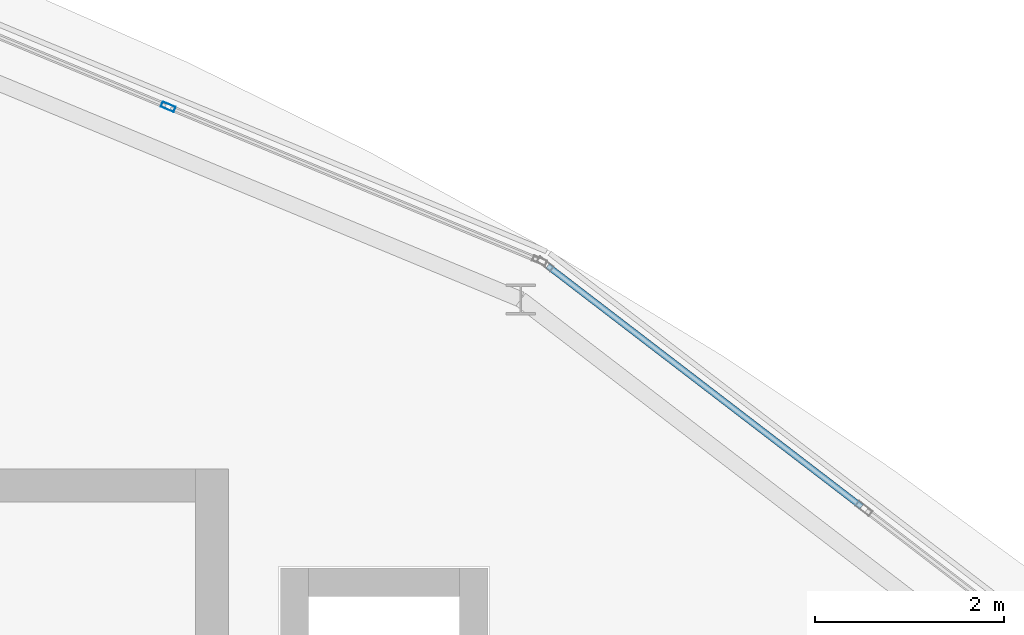
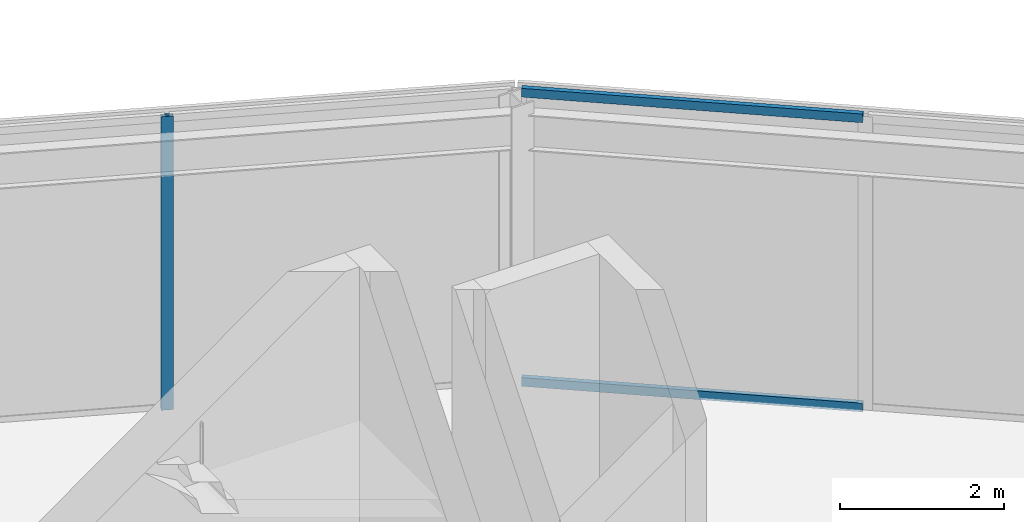
# One storey, part 73 of 133: 3 members, 2 elements without a shape of their own.
"""IFC4 building model written with IfcOpenShell, lengths in metres."""

from ifc_helpers import new_model, si_unit, direction, frame, origin, origin_2d, place, context, subcontext, project, spatial, hollow_rectangle, extrude, material, material_profile, profile_set, type_object, element, aggregate, save


model = new_model("IFC4")

# Units and contexts
model_context = context("Model", 3, precision=1e-05, world=origin(), true_north=direction((0.0, 1.0)))
body_context = subcontext(model_context, "Body", "Model", "MODEL_VIEW")
ifc_project = project(units=[si_unit("LENGTHUNIT", "METRE"), si_unit("AREAUNIT", "SQUARE_METRE"), si_unit("VOLUMEUNIT", "CUBIC_METRE"), si_unit("PLANEANGLEUNIT", "RADIAN"), si_unit("MASSUNIT", "GRAM", prefix="KILO")], contexts=[model_context])

# Site, building, storey
site_placement = place(None, origin())
site = spatial("IfcSite", under=ifc_project, at=site_placement, CompositionType="ELEMENT")
building_placement = place(site_placement, origin())
building = spatial("IfcBuilding", under=site, at=building_placement, Name="Almandine Court Research Institute", CompositionType="ELEMENT")
storey_placement = place(building_placement, frame((0.0, 0.0, 9.800048828125)))
storey = spatial("IfcBuildingStorey", under=building, at=storey_placement, Name="L02", CompositionType="ELEMENT", Elevation=9.800048828125)

# Curtain wall, member
ifc_material_1 = material(Name="Unitised Curtain Wall Framing and Solar Glazing", Category="glass")
curtain_wall_type_1 = type_object("IfcCurtainWallType", Name="CW-CWG-20", PredefinedType="USERDEFINED", material=ifc_material_1)
curtain_wall_1_placement = place(storey_placement, origin())
curtain_wall_1 = element("IfcCurtainWall", 1, at=curtain_wall_1_placement, inside=storey, type_object=curtain_wall_type_1, Name="L02 Stacked-Ring Drum Outer Unitised Glazing 04", ObjectType="UNITISED GLAZING", PredefinedType="USERDEFINED")
ifc_material_2 = material(Name="Anodised Aluminium AW-6063-T6", Category="aluminium")
ifc_material_profile_1 = material_profile(ifc_material_2, hollow_rectangle(XDim=0.06005859375, YDim=0.14990234375, WallThickness=0.00390625, at=origin_2d()), Name="ALU RHS 60x150x4")
ifc_profile_set_1 = profile_set([ifc_material_profile_1], Name="Anodised Aluminium AW-6063-T6")
member_type_1 = type_object("IfcMemberType", Name="CWMul-60x150", PredefinedType="MULLION", material=ifc_profile_set_1)
member_1_placement = place(storey_placement, frame((107.7109375, 100.3916015625, 0.0), z_axis=(0.0, 0.0, 1.0), x_axis=(0.382662689242, 0.923888124321, 0.0)))
member_1 = element("IfcMember", 2, at=member_1_placement, type_object=member_type_1, Name="CWG-20 mullion 3", PredefinedType="MULLION", context=body_context, shape_type="SweptSolid", body=[
    extrude(hollow_rectangle(XDim=0.06005859375, YDim=0.14990234375, WallThickness=0.00390625, at=origin_2d()), origin(), (0.0, 0.0, 1.0), 4.369873046875),
])
aggregate(curtain_wall_1, [member_1])

# Curtain wall, members
curtain_wall_type_2 = type_object("IfcCurtainWallType", Name="CW-CWJ-19", PredefinedType="USERDEFINED", material=ifc_material_1)
curtain_wall_2_placement = place(storey_placement, origin())
curtain_wall_2 = element("IfcCurtainWall", 3, at=curtain_wall_2_placement, inside=storey, type_object=curtain_wall_type_2, Name="L02 Stacked-Ring Drum Outer Solar Jali Screen 03", ObjectType="SOLAR JALI SCREEN", PredefinedType="USERDEFINED")
ifc_material_profile_2 = material_profile(ifc_material_2, hollow_rectangle(XDim=0.06494140625, YDim=0.1298828125, WallThickness=0.00390625, at=origin_2d()), Name="ALU RHS 65x130x4")
ifc_profile_set_2 = profile_set([ifc_material_profile_2], Name="Anodised Aluminium AW-6063-T6")
member_type_2 = type_object("IfcMemberType", Name="CWTrn-65x130", PredefinedType="NOTDEFINED", material=ifc_profile_set_2)
member_2_placement = place(storey_placement, frame((111.734619140625, 98.705322265625, 0.032470703125), z_axis=(0.793408675449, -0.608689308041, 0.0), x_axis=(0.608689308041, 0.793408675449, 0.0)))
member_2 = element("IfcMember", 4, at=member_2_placement, type_object=member_type_2, Name="CWJ-19 transom 1.1", ObjectType="TRANSOM", PredefinedType="USERDEFINED", context=body_context, shape_type="SweptSolid", body=[
    extrude(hollow_rectangle(XDim=0.06494140625, YDim=0.1298828125, WallThickness=0.00390625, at=origin_2d()), origin(), (0.0, 0.0, 1.0), 4.195068359375),
])
member_3_placement = place(storey_placement, frame((111.734619140625, 98.705322265625, 4.33740234375), z_axis=(0.793408675449, -0.608689308041, 0.0), x_axis=(0.608689308041, 0.793408675449, 0.0)))
member_3 = element("IfcMember", 5, at=member_3_placement, type_object=member_type_2, Name="CWJ-19 transom 1.2", ObjectType="TRANSOM", PredefinedType="USERDEFINED", context=body_context, shape_type="SweptSolid", body=[
    extrude(hollow_rectangle(XDim=0.06494140625, YDim=0.1298828125, WallThickness=0.00390625, at=origin_2d()), origin(), (0.0, 0.0, 1.0), 4.195068359375),
])
aggregate(curtain_wall_2, [member_2, member_3])

save(model, "model.ifc")
